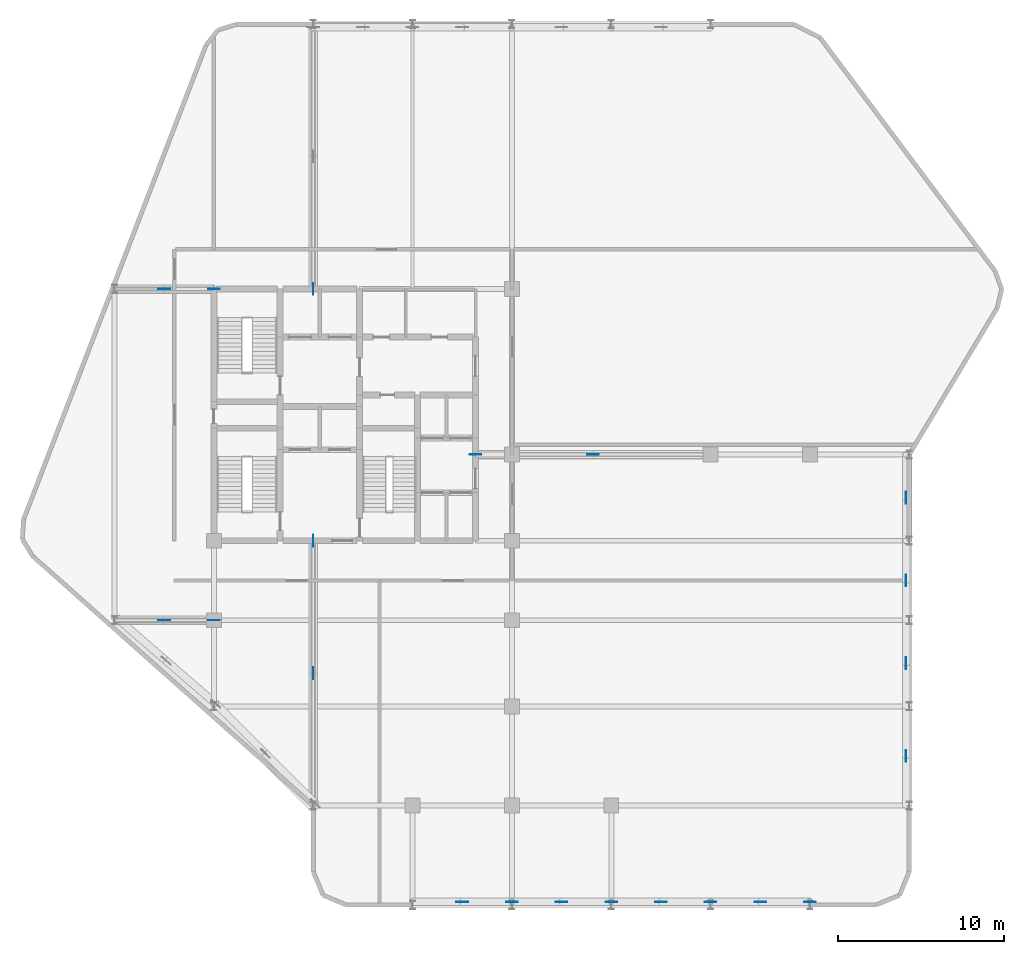
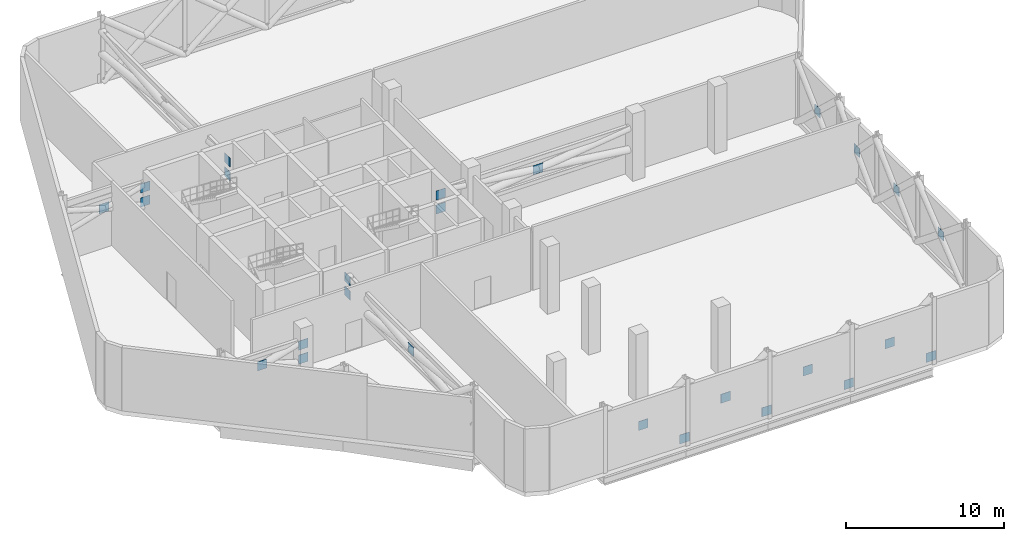
# One storey, part 8 of 12: 26 plates.
"""IFC4 building model written with IfcOpenShell, lengths in metres."""

from ifc_helpers import new_model, si_unit, direction, frame, origin, origin_2d, place, context, subcontext, project, spatial, rectangle, extrude, material, layer, layer_set, type_object, element, save


model = new_model("IFC4")

# Units and contexts
model_context = context("Model", 3, precision=1e-05, world=origin(), true_north=direction((0.0, 1.0)))
body_context = subcontext(model_context, "Body", "Model", "MODEL_VIEW")
ifc_project = project(units=[si_unit("LENGTHUNIT", "METRE"), si_unit("AREAUNIT", "SQUARE_METRE"), si_unit("VOLUMEUNIT", "CUBIC_METRE"), si_unit("PLANEANGLEUNIT", "RADIAN"), si_unit("MASSUNIT", "GRAM", prefix="KILO")], contexts=[model_context])

# Site, building, storey
site_placement = place(None, origin())
site = spatial("IfcSite", under=ifc_project, at=site_placement, CompositionType="ELEMENT")
building_placement = place(site_placement, origin())
building = spatial("IfcBuilding", under=site, at=building_placement, Name="Keshet Zoharim Tower", CompositionType="ELEMENT")
storey_placement = place(building_placement, frame((0.0, 0.0, 159.39990234375)))
storey = spatial("IfcBuildingStorey", under=building, at=storey_placement, Name="L39", CompositionType="ELEMENT", Elevation=159.39990234375)

# Plates
ifc_material = material(Name="Steel S355", Category="steel")
ifc_layer = layer(ifc_material, 0.02490234375)
ifc_layer_set = layer_set([ifc_layer], Name="Steel S355")
plate_type = type_object("IfcPlateType", Name="PL-GUS-25", PredefinedType="SHEET", material=ifc_layer_set)
for number, where, z_axis, x_axis, name in (
    (1, (48.0, 0.889892578125, 2.09521484375), (0.0, 0.0, 1.0), (-1.0, 0.0, 0.0), "L39 Belt Truss X-Crossing Gusset 01"),
    (2, (51.0, 0.889892578125, 0.0), (0.0, 0.0, 1.0), (-1.0, 0.0, 0.0), "L39 Belt Truss Node Gusset 01"),
    (3, (42.0, 0.889892578125, 2.09521484375), (0.0, 0.0, 1.0), (-1.0, 0.0, 0.0), "L39 Belt Truss X-Crossing Gusset 02"),
    (4, (45.0, 0.889892578125, 0.0), (0.0, 0.0, 1.0), (-1.0, 0.0, 0.0), "L39 Belt Truss Node Gusset 02"),
    (5, (36.0, 0.889892578125, 2.09521484375), (0.0, 0.0, 1.0), (-1.0, 0.0, 0.0), "L39 Belt Truss X-Crossing Gusset 03"),
    (6, (39.0, 0.889892578125, 0.0), (0.0, 0.0, 1.0), (-1.0, 0.0, 0.0), "L39 Belt Truss Node Gusset 03"),
    (7, (30.0, 0.889892578125, 2.09521484375), (0.0, 0.0, 1.0), (-1.0, 0.0, 0.0), "L39 Belt Truss X-Crossing Gusset 04"),
    (8, (33.0, 0.889892578125, 0.0), (0.0, 0.0, 1.0), (-1.0, 0.0, 0.0), "L39 Belt Truss Node Gusset 04"),
    (9, (56.81005859375, 25.300048828125, 2.09521484375), (0.0, 0.0, 1.0), (0.0, -1.0, 0.0), "L39 Belt Truss X-Crossing Gusset 11"),
    (10, (56.81005859375, 20.300048828125, 2.09521484375), (0.0, 0.0, 1.0), (0.0, -1.0, 0.0), "L39 Belt Truss X-Crossing Gusset 12"),
    (11, (56.81005859375, 15.300048828125, 2.09521484375), (0.0, 0.0, 1.0), (0.0, -1.0, 0.0), "L39 Belt Truss X-Crossing Gusset 13"),
    (12, (56.81005859375, 9.699951171875, 2.09521484375), (0.0, 0.0, 1.0), (0.0, -1.0, 0.0), "L39 Belt Truss X-Crossing Gusset 14"),
    (13, (15.0, 17.89990234375, 2.14990234375), (0.0, 0.0, 1.0), (1.0, 0.0, 0.0), "L39 Core Outrigger Anchor Gusset W1"),
    (14, (15.0, 17.89990234375, 3.22998046875), (0.0, 0.0, 1.0), (1.0, 0.0, 0.0), "L39 Core Outrigger Top Chord Anchor Gusset W1"),
    (15, (12.0, 17.89990234375, 2.68994140625), (0.0, 0.0, 1.0), (1.0, 0.0, 0.0), "L39 Core Outrigger X-Crossing Gusset W1"),
    (16, (15.0, 37.89990234375, 2.14990234375), (0.0, 0.0, 1.0), (1.0, 0.0, 0.0), "L39 Core Outrigger Anchor Gusset W2"),
    (17, (15.0, 37.89990234375, 3.22998046875), (0.0, 0.0, 1.0), (1.0, 0.0, 0.0), "L39 Core Outrigger Top Chord Anchor Gusset W2"),
    (18, (12.0, 37.89990234375, 2.68994140625), (0.0, 0.0, 1.0), (1.0, 0.0, 0.0), "L39 Core Outrigger X-Crossing Gusset W2"),
    (19, (30.800048828125, 27.89990234375, 2.14990234375), (0.0, 0.0, 1.0), (1.0, 0.0, 0.0), "L39 Core Outrigger Anchor Gusset E1"),
    (20, (30.800048828125, 27.89990234375, 3.22998046875), (0.0, 0.0, 1.0), (1.0, 0.0, 0.0), "L39 Core Outrigger Top Chord Anchor Gusset E1"),
    (21, (37.89990234375, 27.89990234375, 2.68994140625), (0.0, 0.0, 1.0), (1.0, 0.0, 0.0), "L39 Core Outrigger X-Crossing Gusset E1"),
    (22, (21.0, 22.699951171875, 2.14990234375), (0.0, 0.0, 1.0), (0.0, 1.0, 0.0), "L39 Core Outrigger Anchor Gusset S1"),
    (23, (21.0, 22.699951171875, 3.22998046875), (0.0, 0.0, 1.0), (0.0, 1.0, 0.0), "L39 Core Outrigger Top Chord Anchor Gusset S1"),
    (24, (21.0, 14.699951171875, 2.68994140625), (0.0, 0.0, 1.0), (0.0, 1.0, 0.0), "L39 Core Outrigger X-Crossing Gusset S1"),
    (25, (21.0, 37.89990234375, 2.14990234375), (0.0, 0.0, 1.0), (0.0, 1.0, 0.0), "L39 Core Outrigger Anchor Gusset N1"),
    (26, (21.0, 37.89990234375, 3.22998046875), (0.0, 0.0, 1.0), (0.0, 1.0, 0.0), "L39 Core Outrigger Top Chord Anchor Gusset N1"),
):
    element("IfcPlate", number, at=place(storey_placement, frame(where, z_axis=z_axis, x_axis=x_axis)), inside=storey, type_object=plate_type, Name=name, PredefinedType="SHEET", context=body_context, shape_type="SweptSolid", body=[
        extrude(rectangle(XDim=0.699951171875, YDim=0.02490234375, at=origin_2d()), origin(), (0.0, 0.0, 1.0), 0.699951171875),
    ])

save(model, "model.ifc")
